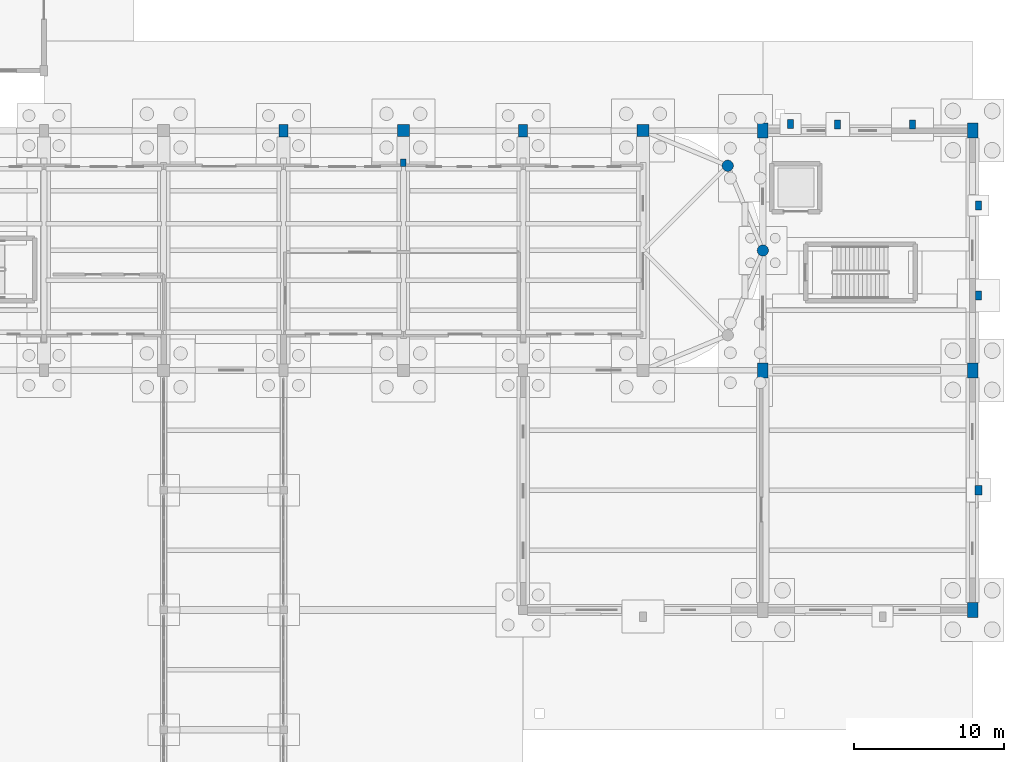
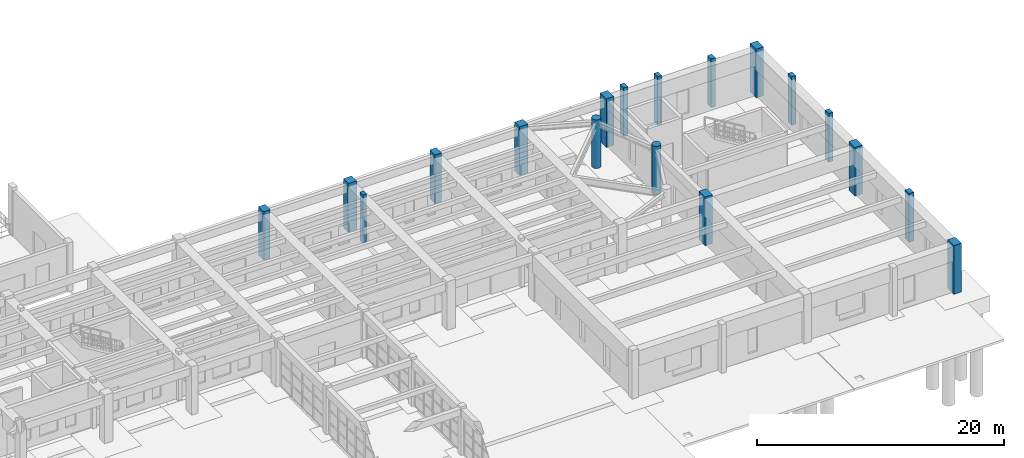
# One storey, part 9 of 68: 18 columns.
"""IFC4 building model written with IfcOpenShell, lengths in metres."""

from ifc_helpers import new_model, si_unit, direction, frame, origin, origin_2d, place, context, subcontext, project, spatial, rectangle, circle, extrude, material, material_profile, profile_set, type_object, element, save


model = new_model("IFC4")

# Units and contexts
model_context = context("Model", 3, precision=1e-05, world=origin(), true_north=direction((0.0, 1.0)))
body_context = subcontext(model_context, "Body", "Model", "MODEL_VIEW")
ifc_project = project(units=[si_unit("LENGTHUNIT", "METRE"), si_unit("AREAUNIT", "SQUARE_METRE"), si_unit("VOLUMEUNIT", "CUBIC_METRE"), si_unit("PLANEANGLEUNIT", "RADIAN"), si_unit("MASSUNIT", "GRAM", prefix="KILO")], contexts=[model_context])

# Site, building, storey
site_placement = place(None, origin())
site = spatial("IfcSite", under=ifc_project, at=site_placement, CompositionType="ELEMENT")
building_placement = place(site_placement, origin())
building = spatial("IfcBuilding", under=site, at=building_placement, Name="Serraluz Foothill Cableway Terminal", CompositionType="ELEMENT")
storey_placement = place(building_placement, origin())
storey = spatial("IfcBuildingStorey", under=building, at=storey_placement, Name="L00", CompositionType="ELEMENT", Elevation=0.0)

# Columns
ifc_material_1 = material(Name="Concrete C35/45 (f'c 35 MPa)", Category="concrete")
ifc_material_profile_1 = material_profile(ifc_material_1, rectangle(XDim=0.60009765625, YDim=0.85009765625, at=origin_2d()), Name="RC 600x850")
ifc_profile_set_1 = profile_set([ifc_material_profile_1], Name="Concrete C35/45 (f'c 35 MPa)")
column_type_1 = type_object("IfcColumnType", Name="TYP-COL-RC600X850", PredefinedType="COLUMN", material=ifc_profile_set_1)
for number, where, z_axis, x_axis, name in (
    (1, (128.0, 72.0, 0.0), (0.0, 0.0, 1.0), (1.0, 0.0, 0.0), "Column COL-V1-N-128-L00"),
    (2, (144.0, 72.0, 0.0), (0.0, 0.0, 1.0), (1.0, 0.0, 0.0), "Column COL-V1-N-144-L00"),
):
    element("IfcColumn", number, at=place(storey_placement, frame(where, z_axis=z_axis, x_axis=x_axis)), inside=storey, type_object=column_type_1, Name=name, PredefinedType="COLUMN", context=body_context, shape_type="SweptSolid", body=[
        extrude(rectangle(XDim=0.60009765625, YDim=0.85009765625, at=origin_2d()), origin(), (0.0, 0.0, 1.0), 4.800048828125),
    ])
ifc_material_profile_2 = material_profile(ifc_material_1, rectangle(XDim=0.699951171875, YDim=1.0, at=origin_2d()), Name="RC 700x1000")
ifc_profile_set_2 = profile_set([ifc_material_profile_2], Name="Concrete C35/45 (f'c 35 MPa)")
column_type_2 = type_object("IfcColumnType", Name="TYP-COL-RC700X1000", PredefinedType="COLUMN", material=ifc_profile_set_2)
for number, where, z_axis, x_axis, name in (
    (3, (160.0, 56.0, 0.0), (0.0, 0.0, 1.0), (1.0, 0.0, 0.0), "Column COL-V2-160-56-L00"),
    (4, (160.0, 72.0, 0.0), (0.0, 0.0, 1.0), (1.0, 0.0, 0.0), "Column COL-V2-160-72-L00"),
    (5, (174.0, 40.0, 0.0), (0.0, 0.0, 1.0), (1.0, 0.0, 0.0), "Column COL-V2-174-40-L00"),
    (6, (174.0, 56.0, 0.0), (0.0, 0.0, 1.0), (1.0, 0.0, 0.0), "Column COL-V2-174-56-L00"),
    (7, (174.0, 72.0, 0.0), (0.0, 0.0, 1.0), (1.0, 0.0, 0.0), "Column COL-V2-174-72-L00"),
):
    element("IfcColumn", number, at=place(storey_placement, frame(where, z_axis=z_axis, x_axis=x_axis)), inside=storey, type_object=column_type_2, Name=name, PredefinedType="COLUMN", context=body_context, shape_type="SweptSolid", body=[
        extrude(rectangle(XDim=0.699951171875, YDim=1.0, at=origin_2d()), origin(), (0.0, 0.0, 1.0), 4.800048828125),
    ])
ifc_material_profile_3 = material_profile(ifc_material_1, rectangle(XDim=0.800048828125, YDim=0.800048828125, at=origin_2d()), Name="RC 800x800")
ifc_profile_set_3 = profile_set([ifc_material_profile_3], Name="Concrete C35/45 (f'c 35 MPa)")
column_type_3 = type_object("IfcColumnType", Name="TYP-COL-RC800", PredefinedType="COLUMN", material=ifc_profile_set_3)
for number, where, z_axis, x_axis, name in (
    (8, (136.0, 72.0, 0.0), (0.0, 0.0, 1.0), (1.0, 0.0, 0.0), "Column COL-V1-N-136-L00"),
    (9, (152.0, 72.0, 0.0), (0.0, 0.0, 1.0), (1.0, 0.0, 0.0), "Column COL-V1-N-152-L00"),
):
    element("IfcColumn", number, at=place(storey_placement, frame(where, z_axis=z_axis, x_axis=x_axis)), inside=storey, type_object=column_type_3, Name=name, PredefinedType="COLUMN", context=body_context, shape_type="SweptSolid", body=[
        extrude(rectangle(XDim=0.800048828125, YDim=0.800048828125, at=origin_2d()), origin(), (0.0, 0.0, 1.0), 4.800048828125),
    ])
ifc_material_profile_4 = material_profile(ifc_material_1, circle(Radius=0.375, at=origin_2d()), Name="RC D750")
ifc_profile_set_4 = profile_set([ifc_material_profile_4], Name="Concrete C35/45 (f'c 35 MPa)")
column_type_4 = type_object("IfcColumnType", Name="TYP-COL-RCD750", PredefinedType="COLUMN", material=ifc_profile_set_4)
for number, where, z_axis, x_axis, name in (
    (10, (160.0, 64.0, 0.0), (0.0, 0.0, 1.0), (1.0, 0.0, 0.0), "Column COL-V1-ARC-E2-L00"),
    (11, (157.656982421875, 69.656982421875, 0.0), (0.0, 0.0, 1.0), (1.0, 0.0, 0.0), "Column COL-V1-ARC-E3-L00"),
):
    element("IfcColumn", number, at=place(storey_placement, frame(where, z_axis=z_axis, x_axis=x_axis)), inside=storey, type_object=column_type_4, Name=name, PredefinedType="COLUMN", context=body_context, shape_type="SweptSolid", body=[
        extrude(circle(Radius=0.375, at=origin_2d()), origin(), (0.0, 0.0, 1.0), 4.800048828125),
    ])
ifc_material_2 = material(Name="Dark clinker clay masonry brick (f'm 14 MPa)", Category="masonry")
ifc_material_profile_5 = material_profile(ifc_material_2, rectangle(XDim=0.35009765625, YDim=0.5, at=origin_2d()), Name="PIL 350x500")
ifc_profile_set_5 = profile_set([ifc_material_profile_5], Name="Dark clinker clay masonry brick (f'm 14 MPa)")
column_type_5 = type_object("IfcColumnType", Name="TYP-PIL-350X500", PredefinedType="PILASTER", material=ifc_profile_set_5)
column_1_placement = place(storey_placement, frame((136.0, 69.85009765625, 0.0), z_axis=(0.0, 0.0, 1.0), x_axis=(1.0, 0.0, 0.0)))
element("IfcColumn", 12, at=column_1_placement, inside=storey, type_object=column_type_5, Name="Brick Pilaster Pier PL-10 L00", PredefinedType="PILASTER", context=body_context, shape_type="SweptSolid", body=[
    extrude(rectangle(XDim=0.35009765625, YDim=0.5, at=origin_2d()), origin(), (0.0, 0.0, 1.0), 4.800048828125),
])
ifc_material_3 = material(Name="Fired clay masonry brick (f'm 12 MPa)", Category="masonry")
ifc_material_profile_6 = material_profile(ifc_material_3, rectangle(XDim=0.39990234375, YDim=0.60009765625, at=origin_2d()), Name="PIL 400x600")
ifc_profile_set_6 = profile_set([ifc_material_profile_6], Name="Fired clay masonry brick (f'm 12 MPa)")
column_type_6 = type_object("IfcColumnType", Name="TYP-PIL-400X600", PredefinedType="PILASTER", material=ifc_profile_set_6)
for number, where, z_axis, x_axis, name in (
    (13, (174.39990234375, 61.0, 0.0), (0.0, 0.0, 1.0), (1.0, 0.0, 0.0), "Brick Pilaster Pier PL-14 L00"),
    (14, (174.39990234375, 67.0, 0.0), (0.0, 0.0, 1.0), (1.0, 0.0, 0.0), "Brick Pilaster Pier PL-15 L00"),
    (15, (165.0, 72.419921875, 0.0), (0.0, 0.0, 1.0), (1.0, 0.0, 0.0), "Brick Pilaster Pier PL-16 L00"),
    (16, (170.0, 72.419921875, 0.0), (0.0, 0.0, 1.0), (1.0, 0.0, 0.0), "Brick Pilaster Pier PL-17 L00"),
    (17, (161.85009765625, 72.43994140625, 0.0), (0.0, 0.0, 1.0), (1.0, 0.0, 0.0), "Brick Pilaster Pier PL-33 L00"),
):
    element("IfcColumn", number, at=place(storey_placement, frame(where, z_axis=z_axis, x_axis=x_axis)), inside=storey, type_object=column_type_6, Name=name, PredefinedType="PILASTER", context=body_context, shape_type="SweptSolid", body=[
        extrude(rectangle(XDim=0.39990234375, YDim=0.60009765625, at=origin_2d()), origin(), (0.0, 0.0, 1.0), 4.800048828125),
    ])
ifc_material_4 = material(Name="Andean basalt ashlar masonry (f'm 18 MPa)", Category="masonry")
ifc_material_profile_7 = material_profile(ifc_material_4, rectangle(XDim=0.449951171875, YDim=0.64990234375, at=origin_2d()), Name="PIL 450x650")
ifc_profile_set_7 = profile_set([ifc_material_profile_7], Name="Andean basalt ashlar masonry (f'm 18 MPa)")
column_type_7 = type_object("IfcColumnType", Name="TYP-PIL-450X650", PredefinedType="PILASTER", material=ifc_profile_set_7)
column_2_placement = place(storey_placement, frame((174.39990234375, 48.0, 0.0), z_axis=(0.0, 0.0, 1.0), x_axis=(1.0, 0.0, 0.0)))
element("IfcColumn", 18, at=column_2_placement, inside=storey, type_object=column_type_7, Name="Brick Pilaster Pier PL-13 L00", PredefinedType="PILASTER", context=body_context, shape_type="SweptSolid", body=[
    extrude(rectangle(XDim=0.449951171875, YDim=0.64990234375, at=origin_2d()), origin(), (0.0, 0.0, 1.0), 4.800048828125),
])

save(model, "model.ifc")
